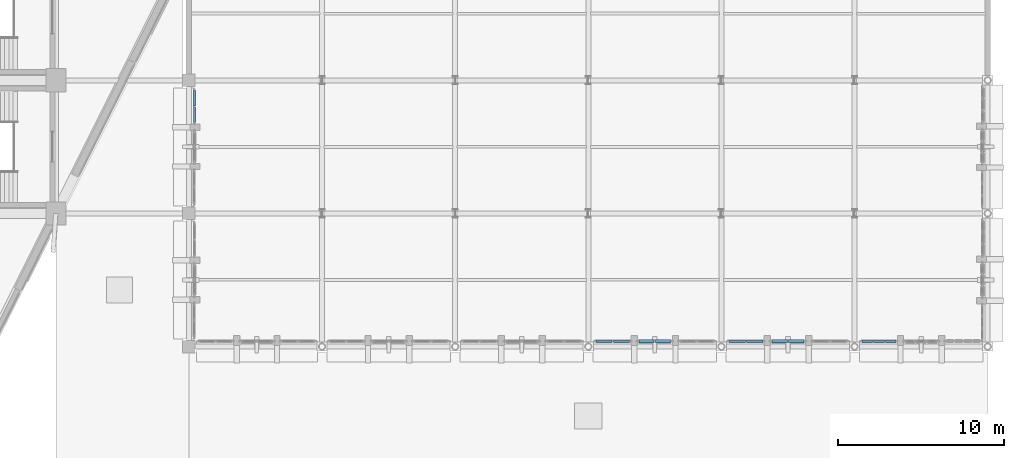
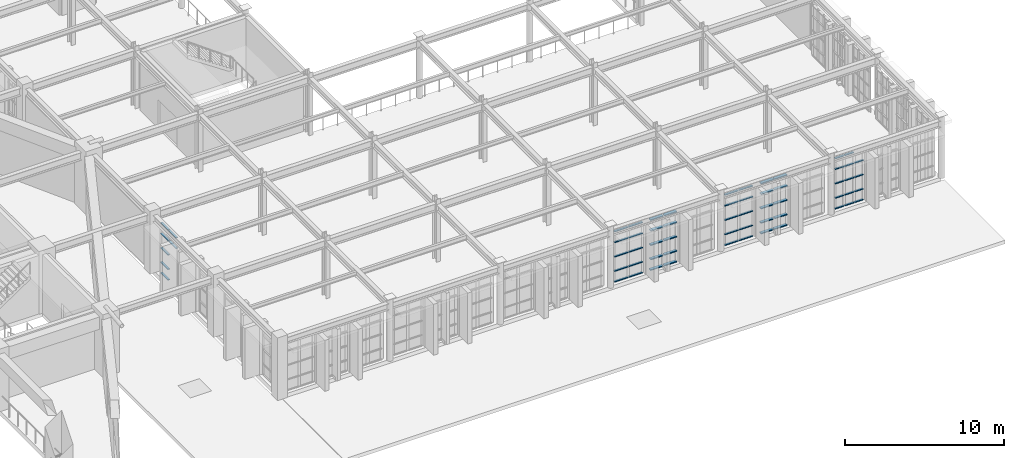
# One storey, part 76 of 155: 61 members, 6 elements without a shape of their own.
"""IFC4 building model written with IfcOpenShell, lengths in metres."""

from ifc_helpers import new_model, si_unit, direction, frame, origin, origin_2d, place, context, subcontext, project, spatial, rectangle, extrude, material, layer, layer_set, material_profile, profile_set, type_object, element, aggregate, save


model = new_model("IFC4")

# Units and contexts
model_context = context("Model", 3, precision=1e-05, world=origin(), true_north=direction((0.0, 1.0)))
body_context = subcontext(model_context, "Body", "Model", "MODEL_VIEW")
ifc_project = project(units=[si_unit("LENGTHUNIT", "METRE"), si_unit("AREAUNIT", "SQUARE_METRE"), si_unit("VOLUMEUNIT", "CUBIC_METRE"), si_unit("PLANEANGLEUNIT", "RADIAN"), si_unit("MASSUNIT", "GRAM", prefix="KILO")], contexts=[model_context])

# Site, building, storey
site_placement = place(None, origin())
site = spatial("IfcSite", under=ifc_project, at=site_placement, CompositionType="ELEMENT")
building_placement = place(site_placement, origin())
building = spatial("IfcBuilding", under=site, at=building_placement, Name="Tazarka Park Arena", CompositionType="ELEMENT")
storey_placement = place(building_placement, frame((0.0, 0.0, 5.39990234375)))
storey = spatial("IfcBuildingStorey", under=building, at=storey_placement, Name="L01", CompositionType="ELEMENT", Elevation=5.39990234375)

# Curtain wall, members
ifc_material_1 = material(Name="Aluminium and low-e glass", Category="aluminium")
ifc_layer_1 = layer(ifc_material_1, 0.179931640625, Name="Aluminium and low-e glass")
ifc_layer_set_1 = layer_set([ifc_layer_1], Name="Aluminium and low-e glass")
curtain_wall_type_1 = type_object("IfcCurtainWallType", Name="CW-12", PredefinedType="NOTDEFINED", material=ifc_layer_set_1)
curtain_wall_1_placement = place(storey_placement, origin())
curtain_wall_1 = element("IfcCurtainWall", 1, at=curtain_wall_1_placement, inside=storey, type_object=curtain_wall_type_1, Name="Curtain Wall CWA-L01-162", PredefinedType="NOTDEFINED")
ifc_material_2 = material(Name="Aluminium 6060-T66", Category="aluminium")
ifc_material_profile_1 = material_profile(ifc_material_2, rectangle(XDim=0.139892578125, YDim=0.06494140625, at=origin_2d()), Name="Aluminium 6060-T66")
ifc_profile_set_1 = profile_set([ifc_material_profile_1], Name="Aluminium 6060-T66")
member_type_1 = type_object("IfcMemberType", Name="CWT-01", PredefinedType="USERDEFINED", material=ifc_profile_set_1)
member_1_placement = place(storey_placement, frame((136.320068359375, 53.456787109375, 3.050048828125), z_axis=(0.0, 1.0, 0.0), x_axis=(-1.0, 0.0, 0.0)))
member_1 = element("IfcMember", 2, at=member_1_placement, type_object=member_type_1, Name="CW-12 transom 1.4", ObjectType="TRANSOM", PredefinedType="USERDEFINED", context=body_context, shape_type="SweptSolid", body=[
    extrude(rectangle(XDim=0.139892578125, YDim=0.06494140625, at=origin_2d()), origin(), (0.0, 0.0, 1.0), 0.928955078125),
])
member_2_placement = place(storey_placement, frame((136.320068359375, 53.456787109375, 3.86767578125), z_axis=(0.0, 1.0, 0.0), x_axis=(-1.0, 0.0, 0.0)))
member_2 = element("IfcMember", 3, at=member_2_placement, type_object=member_type_1, Name="CW-12 transom 1.5", ObjectType="TRANSOM", PredefinedType="USERDEFINED", context=body_context, shape_type="SweptSolid", body=[
    extrude(rectangle(XDim=0.139892578125, YDim=0.06494140625, at=origin_2d()), origin(), (0.0, 0.0, 1.0), 0.928955078125),
])
member_3_placement = place(storey_placement, frame((136.320068359375, 54.450927734375, 0.03271484375), z_axis=(0.0, 1.0, 0.0), x_axis=(-1.0, 0.0, 0.0)))
member_3 = element("IfcMember", 4, at=member_3_placement, type_object=member_type_1, Name="CW-12 transom 2.1", ObjectType="TRANSOM", PredefinedType="USERDEFINED", context=body_context, shape_type="SweptSolid", body=[
    extrude(rectangle(XDim=0.139892578125, YDim=0.06494140625, at=origin_2d()), origin(), (0.0, 0.0, 1.0), 0.928955078125),
])
member_4_placement = place(storey_placement, frame((136.320068359375, 54.450927734375, 0.85009765625), z_axis=(0.0, 1.0, 0.0), x_axis=(-1.0, 0.0, 0.0)))
member_4 = element("IfcMember", 5, at=member_4_placement, type_object=member_type_1, Name="CW-12 transom 2.2", ObjectType="TRANSOM", PredefinedType="USERDEFINED", context=body_context, shape_type="SweptSolid", body=[
    extrude(rectangle(XDim=0.139892578125, YDim=0.06494140625, at=origin_2d()), origin(), (0.0, 0.0, 1.0), 0.928955078125),
])
member_5_placement = place(storey_placement, frame((136.320068359375, 54.450927734375, 1.9501953125), z_axis=(0.0, 1.0, 0.0), x_axis=(-1.0, 0.0, 0.0)))
member_5 = element("IfcMember", 6, at=member_5_placement, type_object=member_type_1, Name="CW-12 transom 2.3", ObjectType="TRANSOM", PredefinedType="USERDEFINED", context=body_context, shape_type="SweptSolid", body=[
    extrude(rectangle(XDim=0.139892578125, YDim=0.06494140625, at=origin_2d()), origin(), (0.0, 0.0, 1.0), 0.928955078125),
])
member_6_placement = place(storey_placement, frame((136.320068359375, 54.450927734375, 3.050048828125), z_axis=(0.0, 1.0, 0.0), x_axis=(-1.0, 0.0, 0.0)))
member_6 = element("IfcMember", 7, at=member_6_placement, type_object=member_type_1, Name="CW-12 transom 2.4", ObjectType="TRANSOM", PredefinedType="USERDEFINED", context=body_context, shape_type="SweptSolid", body=[
    extrude(rectangle(XDim=0.139892578125, YDim=0.06494140625, at=origin_2d()), origin(), (0.0, 0.0, 1.0), 0.928955078125),
])
member_7_placement = place(storey_placement, frame((136.320068359375, 54.450927734375, 3.86767578125), z_axis=(0.0, 1.0, 0.0), x_axis=(-1.0, 0.0, 0.0)))
member_7 = element("IfcMember", 8, at=member_7_placement, type_object=member_type_1, Name="CW-12 transom 2.5", ObjectType="TRANSOM", PredefinedType="USERDEFINED", context=body_context, shape_type="SweptSolid", body=[
    extrude(rectangle(XDim=0.139892578125, YDim=0.06494140625, at=origin_2d()), origin(), (0.0, 0.0, 1.0), 0.928955078125),
])
aggregate(curtain_wall_1, [member_1, member_2, member_3, member_4, member_5, member_6, member_7])

ifc_material_3 = material(Name="Aluminium and low-e glass", Category="aluminium")
ifc_layer_2 = layer(ifc_material_3, 0.179931640625, Name="Aluminium and low-e glass")
ifc_layer_set_2 = layer_set([ifc_layer_2], Name="Aluminium and low-e glass")
curtain_wall_type_2 = type_object("IfcCurtainWallType", Name="CW-27", PredefinedType="NOTDEFINED", material=ifc_layer_set_2)
curtain_wall_2_placement = place(storey_placement, origin())
curtain_wall_2 = element("IfcCurtainWall", 9, at=curtain_wall_2_placement, inside=storey, type_object=curtain_wall_type_2, Name="Curtain Wall CWA-L01-177", PredefinedType="NOTDEFINED")
member_8_placement = place(storey_placement, frame((162.486083984375, 40.320068359375, 0.03271484375), z_axis=(-1.0, 0.0, 0.0), x_axis=(0.0, -1.0, 0.0)))
member_8 = element("IfcMember", 10, at=member_8_placement, type_object=member_type_1, Name="CW-27 transom 1.1", ObjectType="TRANSOM", PredefinedType="USERDEFINED", context=body_context, shape_type="SweptSolid", body=[
    extrude(rectangle(XDim=0.139892578125, YDim=0.06494140625, at=origin_2d()), origin(), (0.0, 0.0, 1.0), 0.986328125),
])
member_9_placement = place(storey_placement, frame((162.486083984375, 40.320068359375, 0.85009765625), z_axis=(-1.0, 0.0, 0.0), x_axis=(0.0, -1.0, 0.0)))
member_9 = element("IfcMember", 11, at=member_9_placement, type_object=member_type_1, Name="CW-27 transom 1.2", ObjectType="TRANSOM", PredefinedType="USERDEFINED", context=body_context, shape_type="SweptSolid", body=[
    extrude(rectangle(XDim=0.139892578125, YDim=0.06494140625, at=origin_2d()), origin(), (0.0, 0.0, 1.0), 0.986328125),
])
member_10_placement = place(storey_placement, frame((162.486083984375, 40.320068359375, 1.9501953125), z_axis=(-1.0, 0.0, 0.0), x_axis=(0.0, -1.0, 0.0)))
member_10 = element("IfcMember", 12, at=member_10_placement, type_object=member_type_1, Name="CW-27 transom 1.3", ObjectType="TRANSOM", PredefinedType="USERDEFINED", context=body_context, shape_type="SweptSolid", body=[
    extrude(rectangle(XDim=0.139892578125, YDim=0.06494140625, at=origin_2d()), origin(), (0.0, 0.0, 1.0), 0.986328125),
])
member_11_placement = place(storey_placement, frame((162.486083984375, 40.320068359375, 3.050048828125), z_axis=(-1.0, 0.0, 0.0), x_axis=(0.0, -1.0, 0.0)))
member_11 = element("IfcMember", 13, at=member_11_placement, type_object=member_type_1, Name="CW-27 transom 1.4", ObjectType="TRANSOM", PredefinedType="USERDEFINED", context=body_context, shape_type="SweptSolid", body=[
    extrude(rectangle(XDim=0.139892578125, YDim=0.06494140625, at=origin_2d()), origin(), (0.0, 0.0, 1.0), 0.986328125),
])
member_12_placement = place(storey_placement, frame((162.486083984375, 40.320068359375, 3.877685546875), z_axis=(-1.0, 0.0, 0.0), x_axis=(0.0, -1.0, 0.0)))
member_12 = element("IfcMember", 14, at=member_12_placement, type_object=member_type_1, Name="CW-27 transom 1.5", ObjectType="TRANSOM", PredefinedType="USERDEFINED", context=body_context, shape_type="SweptSolid", body=[
    extrude(rectangle(XDim=0.139892578125, YDim=0.06494140625, at=origin_2d()), origin(), (0.0, 0.0, 1.0), 0.986328125),
])
member_13_placement = place(storey_placement, frame((161.4345703125, 40.320068359375, 0.03271484375), z_axis=(-1.0, 0.0, 0.0), x_axis=(0.0, -1.0, 0.0)))
member_13 = element("IfcMember", 15, at=member_13_placement, type_object=member_type_1, Name="CW-27 transom 2.1", ObjectType="TRANSOM", PredefinedType="USERDEFINED", context=body_context, shape_type="SweptSolid", body=[
    extrude(rectangle(XDim=0.139892578125, YDim=0.06494140625, at=origin_2d()), origin(), (0.0, 0.0, 1.0), 0.986328125),
])
member_14_placement = place(storey_placement, frame((161.4345703125, 40.320068359375, 0.85009765625), z_axis=(-1.0, 0.0, 0.0), x_axis=(0.0, -1.0, 0.0)))
member_14 = element("IfcMember", 16, at=member_14_placement, type_object=member_type_1, Name="CW-27 transom 2.2", ObjectType="TRANSOM", PredefinedType="USERDEFINED", context=body_context, shape_type="SweptSolid", body=[
    extrude(rectangle(XDim=0.139892578125, YDim=0.06494140625, at=origin_2d()), origin(), (0.0, 0.0, 1.0), 0.986328125),
])
member_15_placement = place(storey_placement, frame((161.4345703125, 40.320068359375, 1.9501953125), z_axis=(-1.0, 0.0, 0.0), x_axis=(0.0, -1.0, 0.0)))
member_15 = element("IfcMember", 17, at=member_15_placement, type_object=member_type_1, Name="CW-27 transom 2.3", ObjectType="TRANSOM", PredefinedType="USERDEFINED", context=body_context, shape_type="SweptSolid", body=[
    extrude(rectangle(XDim=0.139892578125, YDim=0.06494140625, at=origin_2d()), origin(), (0.0, 0.0, 1.0), 0.986328125),
])
member_16_placement = place(storey_placement, frame((161.4345703125, 40.320068359375, 3.050048828125), z_axis=(-1.0, 0.0, 0.0), x_axis=(0.0, -1.0, 0.0)))
member_16 = element("IfcMember", 18, at=member_16_placement, type_object=member_type_1, Name="CW-27 transom 2.4", ObjectType="TRANSOM", PredefinedType="USERDEFINED", context=body_context, shape_type="SweptSolid", body=[
    extrude(rectangle(XDim=0.139892578125, YDim=0.06494140625, at=origin_2d()), origin(), (0.0, 0.0, 1.0), 0.986328125),
])
member_17_placement = place(storey_placement, frame((161.4345703125, 40.320068359375, 3.877685546875), z_axis=(-1.0, 0.0, 0.0), x_axis=(0.0, -1.0, 0.0)))
member_17 = element("IfcMember", 19, at=member_17_placement, type_object=member_type_1, Name="CW-27 transom 2.5", ObjectType="TRANSOM", PredefinedType="USERDEFINED", context=body_context, shape_type="SweptSolid", body=[
    extrude(rectangle(XDim=0.139892578125, YDim=0.06494140625, at=origin_2d()), origin(), (0.0, 0.0, 1.0), 0.986328125),
])
aggregate(curtain_wall_2, [member_8, member_9, member_10, member_11, member_12, member_13, member_14, member_15, member_16, member_17])

ifc_material_4 = material(Name="Aluminium and low-e glass", Category="aluminium")
ifc_layer_3 = layer(ifc_material_4, 0.179931640625, Name="Aluminium and low-e glass")
ifc_layer_set_3 = layer_set([ifc_layer_3], Name="Aluminium and low-e glass")
curtain_wall_type_3 = type_object("IfcCurtainWallType", Name="CW-30", PredefinedType="NOTDEFINED", material=ifc_layer_set_3)
curtain_wall_3_placement = place(storey_placement, origin())
curtain_wall_3 = element("IfcCurtainWall", 20, at=curtain_wall_3_placement, inside=storey, type_object=curtain_wall_type_3, Name="Curtain Wall CWA-L01-180", PredefinedType="NOTDEFINED")
member_18_placement = place(storey_placement, frame((170.486083984375, 40.320068359375, 0.03271484375), z_axis=(-1.0, 0.0, 0.0), x_axis=(0.0, -1.0, 0.0)))
member_18 = element("IfcMember", 21, at=member_18_placement, type_object=member_type_1, Name="CW-30 transom 1.1", ObjectType="TRANSOM", PredefinedType="USERDEFINED", context=body_context, shape_type="SweptSolid", body=[
    extrude(rectangle(XDim=0.139892578125, YDim=0.06494140625, at=origin_2d()), origin(), (0.0, 0.0, 1.0), 0.986328125),
])
member_19_placement = place(storey_placement, frame((170.486083984375, 40.320068359375, 0.85009765625), z_axis=(-1.0, 0.0, 0.0), x_axis=(0.0, -1.0, 0.0)))
member_19 = element("IfcMember", 22, at=member_19_placement, type_object=member_type_1, Name="CW-30 transom 1.2", ObjectType="TRANSOM", PredefinedType="USERDEFINED", context=body_context, shape_type="SweptSolid", body=[
    extrude(rectangle(XDim=0.139892578125, YDim=0.06494140625, at=origin_2d()), origin(), (0.0, 0.0, 1.0), 0.986328125),
])
member_20_placement = place(storey_placement, frame((170.486083984375, 40.320068359375, 1.9501953125), z_axis=(-1.0, 0.0, 0.0), x_axis=(0.0, -1.0, 0.0)))
member_20 = element("IfcMember", 23, at=member_20_placement, type_object=member_type_1, Name="CW-30 transom 1.3", ObjectType="TRANSOM", PredefinedType="USERDEFINED", context=body_context, shape_type="SweptSolid", body=[
    extrude(rectangle(XDim=0.139892578125, YDim=0.06494140625, at=origin_2d()), origin(), (0.0, 0.0, 1.0), 0.986328125),
])
member_21_placement = place(storey_placement, frame((170.486083984375, 40.320068359375, 3.050048828125), z_axis=(-1.0, 0.0, 0.0), x_axis=(0.0, -1.0, 0.0)))
member_21 = element("IfcMember", 24, at=member_21_placement, type_object=member_type_1, Name="CW-30 transom 1.4", ObjectType="TRANSOM", PredefinedType="USERDEFINED", context=body_context, shape_type="SweptSolid", body=[
    extrude(rectangle(XDim=0.139892578125, YDim=0.06494140625, at=origin_2d()), origin(), (0.0, 0.0, 1.0), 0.986328125),
])
member_22_placement = place(storey_placement, frame((170.486083984375, 40.320068359375, 3.877685546875), z_axis=(-1.0, 0.0, 0.0), x_axis=(0.0, -1.0, 0.0)))
member_22 = element("IfcMember", 25, at=member_22_placement, type_object=member_type_1, Name="CW-30 transom 1.5", ObjectType="TRANSOM", PredefinedType="USERDEFINED", context=body_context, shape_type="SweptSolid", body=[
    extrude(rectangle(XDim=0.139892578125, YDim=0.06494140625, at=origin_2d()), origin(), (0.0, 0.0, 1.0), 0.986328125),
])
member_23_placement = place(storey_placement, frame((169.4345703125, 40.320068359375, 0.03271484375), z_axis=(-1.0, 0.0, 0.0), x_axis=(0.0, -1.0, 0.0)))
member_23 = element("IfcMember", 26, at=member_23_placement, type_object=member_type_1, Name="CW-30 transom 2.1", ObjectType="TRANSOM", PredefinedType="USERDEFINED", context=body_context, shape_type="SweptSolid", body=[
    extrude(rectangle(XDim=0.139892578125, YDim=0.06494140625, at=origin_2d()), origin(), (0.0, 0.0, 1.0), 0.986328125),
])
member_24_placement = place(storey_placement, frame((169.4345703125, 40.320068359375, 0.85009765625), z_axis=(-1.0, 0.0, 0.0), x_axis=(0.0, -1.0, 0.0)))
member_24 = element("IfcMember", 27, at=member_24_placement, type_object=member_type_1, Name="CW-30 transom 2.2", ObjectType="TRANSOM", PredefinedType="USERDEFINED", context=body_context, shape_type="SweptSolid", body=[
    extrude(rectangle(XDim=0.139892578125, YDim=0.06494140625, at=origin_2d()), origin(), (0.0, 0.0, 1.0), 0.986328125),
])
member_25_placement = place(storey_placement, frame((169.4345703125, 40.320068359375, 1.9501953125), z_axis=(-1.0, 0.0, 0.0), x_axis=(0.0, -1.0, 0.0)))
member_25 = element("IfcMember", 28, at=member_25_placement, type_object=member_type_1, Name="CW-30 transom 2.3", ObjectType="TRANSOM", PredefinedType="USERDEFINED", context=body_context, shape_type="SweptSolid", body=[
    extrude(rectangle(XDim=0.139892578125, YDim=0.06494140625, at=origin_2d()), origin(), (0.0, 0.0, 1.0), 0.986328125),
])
member_26_placement = place(storey_placement, frame((169.4345703125, 40.320068359375, 3.050048828125), z_axis=(-1.0, 0.0, 0.0), x_axis=(0.0, -1.0, 0.0)))
member_26 = element("IfcMember", 29, at=member_26_placement, type_object=member_type_1, Name="CW-30 transom 2.4", ObjectType="TRANSOM", PredefinedType="USERDEFINED", context=body_context, shape_type="SweptSolid", body=[
    extrude(rectangle(XDim=0.139892578125, YDim=0.06494140625, at=origin_2d()), origin(), (0.0, 0.0, 1.0), 0.986328125),
])
member_27_placement = place(storey_placement, frame((169.4345703125, 40.320068359375, 3.877685546875), z_axis=(-1.0, 0.0, 0.0), x_axis=(0.0, -1.0, 0.0)))
member_27 = element("IfcMember", 30, at=member_27_placement, type_object=member_type_1, Name="CW-30 transom 2.5", ObjectType="TRANSOM", PredefinedType="USERDEFINED", context=body_context, shape_type="SweptSolid", body=[
    extrude(rectangle(XDim=0.139892578125, YDim=0.06494140625, at=origin_2d()), origin(), (0.0, 0.0, 1.0), 0.986328125),
])
aggregate(curtain_wall_3, [member_18, member_19, member_20, member_21, member_22, member_23, member_24, member_25, member_26, member_27])

ifc_material_5 = material(Name="Aluminium and low-e glass", Category="aluminium")
ifc_layer_4 = layer(ifc_material_5, 0.179931640625, Name="Aluminium and low-e glass")
ifc_layer_set_4 = layer_set([ifc_layer_4], Name="Aluminium and low-e glass")
curtain_wall_type_4 = type_object("IfcCurtainWallType", Name="CW-03", PredefinedType="NOTDEFINED", material=ifc_layer_set_4)
curtain_wall_4_placement = place(storey_placement, origin())
curtain_wall_4 = element("IfcCurtainWall", 31, at=curtain_wall_4_placement, inside=storey, type_object=curtain_wall_type_4, Name="Curtain Wall CWA-L01-183", PredefinedType="NOTDEFINED")
member_28_placement = place(storey_placement, frame((178.486083984375, 40.320068359375, 0.03271484375), z_axis=(-1.0, 0.0, 0.0), x_axis=(0.0, -1.0, 0.0)))
member_28 = element("IfcMember", 32, at=member_28_placement, type_object=member_type_1, Name="CW-03 transom 1.1", ObjectType="TRANSOM", PredefinedType="USERDEFINED", context=body_context, shape_type="SweptSolid", body=[
    extrude(rectangle(XDim=0.139892578125, YDim=0.06494140625, at=origin_2d()), origin(), (0.0, 0.0, 1.0), 0.625),
])
member_29_placement = place(storey_placement, frame((178.486083984375, 40.320068359375, 0.85009765625), z_axis=(-1.0, 0.0, 0.0), x_axis=(0.0, -1.0, 0.0)))
member_29 = element("IfcMember", 33, at=member_29_placement, type_object=member_type_1, Name="CW-03 transom 1.2", ObjectType="TRANSOM", PredefinedType="USERDEFINED", context=body_context, shape_type="SweptSolid", body=[
    extrude(rectangle(XDim=0.139892578125, YDim=0.06494140625, at=origin_2d()), origin(), (0.0, 0.0, 1.0), 0.625),
])
member_30_placement = place(storey_placement, frame((178.486083984375, 40.320068359375, 1.9501953125), z_axis=(-1.0, 0.0, 0.0), x_axis=(0.0, -1.0, 0.0)))
member_30 = element("IfcMember", 34, at=member_30_placement, type_object=member_type_1, Name="CW-03 transom 1.3", ObjectType="TRANSOM", PredefinedType="USERDEFINED", context=body_context, shape_type="SweptSolid", body=[
    extrude(rectangle(XDim=0.139892578125, YDim=0.06494140625, at=origin_2d()), origin(), (0.0, 0.0, 1.0), 0.625),
])
member_31_placement = place(storey_placement, frame((178.486083984375, 40.320068359375, 3.050048828125), z_axis=(-1.0, 0.0, 0.0), x_axis=(0.0, -1.0, 0.0)))
member_31 = element("IfcMember", 35, at=member_31_placement, type_object=member_type_1, Name="CW-03 transom 1.4", ObjectType="TRANSOM", PredefinedType="USERDEFINED", context=body_context, shape_type="SweptSolid", body=[
    extrude(rectangle(XDim=0.139892578125, YDim=0.06494140625, at=origin_2d()), origin(), (0.0, 0.0, 1.0), 0.625),
])
member_32_placement = place(storey_placement, frame((177.7958984375, 40.320068359375, 0.03271484375), z_axis=(-1.0, 0.0, 0.0), x_axis=(0.0, -1.0, 0.0)))
member_32 = element("IfcMember", 36, at=member_32_placement, type_object=member_type_1, Name="CW-03 transom 2.1", ObjectType="TRANSOM", PredefinedType="USERDEFINED", context=body_context, shape_type="SweptSolid", body=[
    extrude(rectangle(XDim=0.139892578125, YDim=0.06494140625, at=origin_2d()), origin(), (0.0, 0.0, 1.0), 0.657470703125),
])
member_33_placement = place(storey_placement, frame((177.7958984375, 40.320068359375, 0.85009765625), z_axis=(-1.0, 0.0, 0.0), x_axis=(0.0, -1.0, 0.0)))
member_33 = element("IfcMember", 37, at=member_33_placement, type_object=member_type_1, Name="CW-03 transom 2.2", ObjectType="TRANSOM", PredefinedType="USERDEFINED", context=body_context, shape_type="SweptSolid", body=[
    extrude(rectangle(XDim=0.139892578125, YDim=0.06494140625, at=origin_2d()), origin(), (0.0, 0.0, 1.0), 0.657470703125),
])
member_34_placement = place(storey_placement, frame((177.7958984375, 40.320068359375, 1.9501953125), z_axis=(-1.0, 0.0, 0.0), x_axis=(0.0, -1.0, 0.0)))
member_34 = element("IfcMember", 38, at=member_34_placement, type_object=member_type_1, Name="CW-03 transom 2.3", ObjectType="TRANSOM", PredefinedType="USERDEFINED", context=body_context, shape_type="SweptSolid", body=[
    extrude(rectangle(XDim=0.139892578125, YDim=0.06494140625, at=origin_2d()), origin(), (0.0, 0.0, 1.0), 0.657470703125),
])
member_35_placement = place(storey_placement, frame((177.7958984375, 40.320068359375, 3.050048828125), z_axis=(-1.0, 0.0, 0.0), x_axis=(0.0, -1.0, 0.0)))
member_35 = element("IfcMember", 39, at=member_35_placement, type_object=member_type_1, Name="CW-03 transom 2.4", ObjectType="TRANSOM", PredefinedType="USERDEFINED", context=body_context, shape_type="SweptSolid", body=[
    extrude(rectangle(XDim=0.139892578125, YDim=0.06494140625, at=origin_2d()), origin(), (0.0, 0.0, 1.0), 0.657470703125),
])
member_36_placement = place(storey_placement, frame((177.7958984375, 40.320068359375, 3.877685546875), z_axis=(-1.0, 0.0, 0.0), x_axis=(0.0, -1.0, 0.0)))
member_36 = element("IfcMember", 40, at=member_36_placement, type_object=member_type_1, Name="CW-03 transom 2.5", ObjectType="TRANSOM", PredefinedType="USERDEFINED", context=body_context, shape_type="SweptSolid", body=[
    extrude(rectangle(XDim=0.139892578125, YDim=0.06494140625, at=origin_2d()), origin(), (0.0, 0.0, 1.0), 0.657470703125),
])
member_37_placement = place(storey_placement, frame((177.0732421875, 40.320068359375, 0.03271484375), z_axis=(-1.0, 0.0, 0.0), x_axis=(0.0, -1.0, 0.0)))
member_37 = element("IfcMember", 41, at=member_37_placement, type_object=member_type_1, Name="CW-03 transom 3.1", ObjectType="TRANSOM", PredefinedType="USERDEFINED", context=body_context, shape_type="SweptSolid", body=[
    extrude(rectangle(XDim=0.139892578125, YDim=0.06494140625, at=origin_2d()), origin(), (0.0, 0.0, 1.0), 0.625),
])
member_38_placement = place(storey_placement, frame((177.0732421875, 40.320068359375, 0.85009765625), z_axis=(-1.0, 0.0, 0.0), x_axis=(0.0, -1.0, 0.0)))
member_38 = element("IfcMember", 42, at=member_38_placement, type_object=member_type_1, Name="CW-03 transom 3.2", ObjectType="TRANSOM", PredefinedType="USERDEFINED", context=body_context, shape_type="SweptSolid", body=[
    extrude(rectangle(XDim=0.139892578125, YDim=0.06494140625, at=origin_2d()), origin(), (0.0, 0.0, 1.0), 0.625),
])
member_39_placement = place(storey_placement, frame((177.0732421875, 40.320068359375, 1.9501953125), z_axis=(-1.0, 0.0, 0.0), x_axis=(0.0, -1.0, 0.0)))
member_39 = element("IfcMember", 43, at=member_39_placement, type_object=member_type_1, Name="CW-03 transom 3.3", ObjectType="TRANSOM", PredefinedType="USERDEFINED", context=body_context, shape_type="SweptSolid", body=[
    extrude(rectangle(XDim=0.139892578125, YDim=0.06494140625, at=origin_2d()), origin(), (0.0, 0.0, 1.0), 0.625),
])
member_40_placement = place(storey_placement, frame((177.0732421875, 40.320068359375, 3.050048828125), z_axis=(-1.0, 0.0, 0.0), x_axis=(0.0, -1.0, 0.0)))
member_40 = element("IfcMember", 44, at=member_40_placement, type_object=member_type_1, Name="CW-03 transom 3.4", ObjectType="TRANSOM", PredefinedType="USERDEFINED", context=body_context, shape_type="SweptSolid", body=[
    extrude(rectangle(XDim=0.139892578125, YDim=0.06494140625, at=origin_2d()), origin(), (0.0, 0.0, 1.0), 0.625),
])
member_41_placement = place(storey_placement, frame((177.0732421875, 40.320068359375, 3.877685546875), z_axis=(-1.0, 0.0, 0.0), x_axis=(0.0, -1.0, 0.0)))
member_41 = element("IfcMember", 45, at=member_41_placement, type_object=member_type_1, Name="CW-03 transom 3.5", ObjectType="TRANSOM", PredefinedType="USERDEFINED", context=body_context, shape_type="SweptSolid", body=[
    extrude(rectangle(XDim=0.139892578125, YDim=0.06494140625, at=origin_2d()), origin(), (0.0, 0.0, 1.0), 0.625),
])
aggregate(curtain_wall_4, [member_28, member_29, member_30, member_31, member_32, member_33, member_34, member_35, member_36, member_37, member_38, member_39, member_40, member_41])

ifc_material_6 = material(Name="Aluminium and low-e glass", Category="aluminium")
ifc_layer_5 = layer(ifc_material_6, 0.179931640625, Name="Aluminium and low-e glass")
ifc_layer_set_5 = layer_set([ifc_layer_5], Name="Aluminium and low-e glass")
curtain_wall_type_5 = type_object("IfcCurtainWallType", Name="CW-26", PredefinedType="NOTDEFINED", material=ifc_layer_set_5)
curtain_wall_5_placement = place(storey_placement, origin())
curtain_wall_5 = element("IfcCurtainWall", 46, at=curtain_wall_5_placement, inside=storey, type_object=curtain_wall_type_5, Name="Curtain Wall CWA-L01-176", PredefinedType="NOTDEFINED")
ifc_material_7 = material(Name="Aluminium 6060-T66", Category="aluminium")
ifc_material_profile_2 = material_profile(ifc_material_7, rectangle(XDim=0.2099609375, YDim=0.074951171875, at=origin_2d()), Name="Aluminium 6060-T66")
ifc_profile_set_2 = profile_set([ifc_material_profile_2], Name="Aluminium 6060-T66")
member_type_2 = type_object("IfcMemberType", Name="CWT-03", PredefinedType="USERDEFINED", material=ifc_profile_set_2)
member_42_placement = place(storey_placement, frame((164.953857421875, 40.320068359375, 0.03759765625), z_axis=(-1.0, 0.0, 0.0), x_axis=(0.0, -1.0, 0.0)))
member_42 = element("IfcMember", 47, at=member_42_placement, type_object=member_type_2, Name="CW-26 transom 1.1", ObjectType="TRANSOM", PredefinedType="USERDEFINED", context=body_context, shape_type="SweptSolid", body=[
    extrude(rectangle(XDim=0.2099609375, YDim=0.074951171875, at=origin_2d()), origin(), (0.0, 0.0, 1.0), 0.916259765625),
])
member_43_placement = place(storey_placement, frame((164.953857421875, 40.320068359375, 0.85009765625), z_axis=(-1.0, 0.0, 0.0), x_axis=(0.0, -1.0, 0.0)))
member_43 = element("IfcMember", 48, at=member_43_placement, type_object=member_type_2, Name="CW-26 transom 1.2", ObjectType="TRANSOM", PredefinedType="USERDEFINED", context=body_context, shape_type="SweptSolid", body=[
    extrude(rectangle(XDim=0.2099609375, YDim=0.074951171875, at=origin_2d()), origin(), (0.0, 0.0, 1.0), 0.916259765625),
])
member_44_placement = place(storey_placement, frame((164.953857421875, 40.320068359375, 1.9501953125), z_axis=(-1.0, 0.0, 0.0), x_axis=(0.0, -1.0, 0.0)))
member_44 = element("IfcMember", 49, at=member_44_placement, type_object=member_type_2, Name="CW-26 transom 1.3", ObjectType="TRANSOM", PredefinedType="USERDEFINED", context=body_context, shape_type="SweptSolid", body=[
    extrude(rectangle(XDim=0.2099609375, YDim=0.074951171875, at=origin_2d()), origin(), (0.0, 0.0, 1.0), 0.916259765625),
])
member_45_placement = place(storey_placement, frame((164.953857421875, 40.320068359375, 3.050048828125), z_axis=(-1.0, 0.0, 0.0), x_axis=(0.0, -1.0, 0.0)))
member_45 = element("IfcMember", 50, at=member_45_placement, type_object=member_type_2, Name="CW-26 transom 1.4", ObjectType="TRANSOM", PredefinedType="USERDEFINED", context=body_context, shape_type="SweptSolid", body=[
    extrude(rectangle(XDim=0.2099609375, YDim=0.074951171875, at=origin_2d()), origin(), (0.0, 0.0, 1.0), 0.916259765625),
])
member_46_placement = place(storey_placement, frame((164.953857421875, 40.320068359375, 3.87255859375), z_axis=(-1.0, 0.0, 0.0), x_axis=(0.0, -1.0, 0.0)))
member_46 = element("IfcMember", 51, at=member_46_placement, type_object=member_type_2, Name="CW-26 transom 1.5", ObjectType="TRANSOM", PredefinedType="USERDEFINED", context=body_context, shape_type="SweptSolid", body=[
    extrude(rectangle(XDim=0.2099609375, YDim=0.074951171875, at=origin_2d()), origin(), (0.0, 0.0, 1.0), 0.916259765625),
])
member_47_placement = place(storey_placement, frame((163.96240234375, 40.320068359375, 0.03759765625), z_axis=(-1.0, 0.0, 0.0), x_axis=(0.0, -1.0, 0.0)))
member_47 = element("IfcMember", 52, at=member_47_placement, type_object=member_type_2, Name="CW-26 transom 2.1", ObjectType="TRANSOM", PredefinedType="USERDEFINED", context=body_context, shape_type="SweptSolid", body=[
    extrude(rectangle(XDim=0.2099609375, YDim=0.074951171875, at=origin_2d()), origin(), (0.0, 0.0, 1.0), 0.916259765625),
])
member_48_placement = place(storey_placement, frame((163.96240234375, 40.320068359375, 0.85009765625), z_axis=(-1.0, 0.0, 0.0), x_axis=(0.0, -1.0, 0.0)))
member_48 = element("IfcMember", 53, at=member_48_placement, type_object=member_type_2, Name="CW-26 transom 2.2", ObjectType="TRANSOM", PredefinedType="USERDEFINED", context=body_context, shape_type="SweptSolid", body=[
    extrude(rectangle(XDim=0.2099609375, YDim=0.074951171875, at=origin_2d()), origin(), (0.0, 0.0, 1.0), 0.916259765625),
])
member_49_placement = place(storey_placement, frame((163.96240234375, 40.320068359375, 1.9501953125), z_axis=(-1.0, 0.0, 0.0), x_axis=(0.0, -1.0, 0.0)))
member_49 = element("IfcMember", 54, at=member_49_placement, type_object=member_type_2, Name="CW-26 transom 2.3", ObjectType="TRANSOM", PredefinedType="USERDEFINED", context=body_context, shape_type="SweptSolid", body=[
    extrude(rectangle(XDim=0.2099609375, YDim=0.074951171875, at=origin_2d()), origin(), (0.0, 0.0, 1.0), 0.916259765625),
])
member_50_placement = place(storey_placement, frame((163.96240234375, 40.320068359375, 3.050048828125), z_axis=(-1.0, 0.0, 0.0), x_axis=(0.0, -1.0, 0.0)))
member_50 = element("IfcMember", 55, at=member_50_placement, type_object=member_type_2, Name="CW-26 transom 2.4", ObjectType="TRANSOM", PredefinedType="USERDEFINED", context=body_context, shape_type="SweptSolid", body=[
    extrude(rectangle(XDim=0.2099609375, YDim=0.074951171875, at=origin_2d()), origin(), (0.0, 0.0, 1.0), 0.916259765625),
])
member_51_placement = place(storey_placement, frame((163.96240234375, 40.320068359375, 3.87255859375), z_axis=(-1.0, 0.0, 0.0), x_axis=(0.0, -1.0, 0.0)))
member_51 = element("IfcMember", 56, at=member_51_placement, type_object=member_type_2, Name="CW-26 transom 2.5", ObjectType="TRANSOM", PredefinedType="USERDEFINED", context=body_context, shape_type="SweptSolid", body=[
    extrude(rectangle(XDim=0.2099609375, YDim=0.074951171875, at=origin_2d()), origin(), (0.0, 0.0, 1.0), 0.916259765625),
])
aggregate(curtain_wall_5, [member_42, member_43, member_44, member_45, member_46, member_47, member_48, member_49, member_50, member_51])

ifc_material_8 = material(Name="Aluminium and low-e glass", Category="aluminium")
ifc_layer_6 = layer(ifc_material_8, 0.179931640625, Name="Aluminium and low-e glass")
ifc_layer_set_6 = layer_set([ifc_layer_6], Name="Aluminium and low-e glass")
curtain_wall_type_6 = type_object("IfcCurtainWallType", Name="CW-29", PredefinedType="NOTDEFINED", material=ifc_layer_set_6)
curtain_wall_6_placement = place(storey_placement, origin())
curtain_wall_6 = element("IfcCurtainWall", 57, at=curtain_wall_6_placement, inside=storey, type_object=curtain_wall_type_6, Name="Curtain Wall CWA-L01-179", PredefinedType="NOTDEFINED")
member_52_placement = place(storey_placement, frame((172.953857421875, 40.320068359375, 0.03759765625), z_axis=(-1.0, 0.0, 0.0), x_axis=(0.0, -1.0, 0.0)))
member_52 = element("IfcMember", 58, at=member_52_placement, type_object=member_type_2, Name="CW-29 transom 1.1", ObjectType="TRANSOM", PredefinedType="USERDEFINED", context=body_context, shape_type="SweptSolid", body=[
    extrude(rectangle(XDim=0.2099609375, YDim=0.074951171875, at=origin_2d()), origin(), (0.0, 0.0, 1.0), 0.916259765625),
])
member_53_placement = place(storey_placement, frame((172.953857421875, 40.320068359375, 0.85009765625), z_axis=(-1.0, 0.0, 0.0), x_axis=(0.0, -1.0, 0.0)))
member_53 = element("IfcMember", 59, at=member_53_placement, type_object=member_type_2, Name="CW-29 transom 1.2", ObjectType="TRANSOM", PredefinedType="USERDEFINED", context=body_context, shape_type="SweptSolid", body=[
    extrude(rectangle(XDim=0.2099609375, YDim=0.074951171875, at=origin_2d()), origin(), (0.0, 0.0, 1.0), 0.916259765625),
])
member_54_placement = place(storey_placement, frame((172.953857421875, 40.320068359375, 1.9501953125), z_axis=(-1.0, 0.0, 0.0), x_axis=(0.0, -1.0, 0.0)))
member_54 = element("IfcMember", 60, at=member_54_placement, type_object=member_type_2, Name="CW-29 transom 1.3", ObjectType="TRANSOM", PredefinedType="USERDEFINED", context=body_context, shape_type="SweptSolid", body=[
    extrude(rectangle(XDim=0.2099609375, YDim=0.074951171875, at=origin_2d()), origin(), (0.0, 0.0, 1.0), 0.916259765625),
])
member_55_placement = place(storey_placement, frame((172.953857421875, 40.320068359375, 3.050048828125), z_axis=(-1.0, 0.0, 0.0), x_axis=(0.0, -1.0, 0.0)))
member_55 = element("IfcMember", 61, at=member_55_placement, type_object=member_type_2, Name="CW-29 transom 1.4", ObjectType="TRANSOM", PredefinedType="USERDEFINED", context=body_context, shape_type="SweptSolid", body=[
    extrude(rectangle(XDim=0.2099609375, YDim=0.074951171875, at=origin_2d()), origin(), (0.0, 0.0, 1.0), 0.916259765625),
])
member_56_placement = place(storey_placement, frame((172.953857421875, 40.320068359375, 3.87255859375), z_axis=(-1.0, 0.0, 0.0), x_axis=(0.0, -1.0, 0.0)))
member_56 = element("IfcMember", 62, at=member_56_placement, type_object=member_type_2, Name="CW-29 transom 1.5", ObjectType="TRANSOM", PredefinedType="USERDEFINED", context=body_context, shape_type="SweptSolid", body=[
    extrude(rectangle(XDim=0.2099609375, YDim=0.074951171875, at=origin_2d()), origin(), (0.0, 0.0, 1.0), 0.916259765625),
])
member_57_placement = place(storey_placement, frame((171.96240234375, 40.320068359375, 0.03759765625), z_axis=(-1.0, 0.0, 0.0), x_axis=(0.0, -1.0, 0.0)))
member_57 = element("IfcMember", 63, at=member_57_placement, type_object=member_type_2, Name="CW-29 transom 2.1", ObjectType="TRANSOM", PredefinedType="USERDEFINED", context=body_context, shape_type="SweptSolid", body=[
    extrude(rectangle(XDim=0.2099609375, YDim=0.074951171875, at=origin_2d()), origin(), (0.0, 0.0, 1.0), 0.916259765625),
])
member_58_placement = place(storey_placement, frame((171.96240234375, 40.320068359375, 0.85009765625), z_axis=(-1.0, 0.0, 0.0), x_axis=(0.0, -1.0, 0.0)))
member_58 = element("IfcMember", 64, at=member_58_placement, type_object=member_type_2, Name="CW-29 transom 2.2", ObjectType="TRANSOM", PredefinedType="USERDEFINED", context=body_context, shape_type="SweptSolid", body=[
    extrude(rectangle(XDim=0.2099609375, YDim=0.074951171875, at=origin_2d()), origin(), (0.0, 0.0, 1.0), 0.916259765625),
])
member_59_placement = place(storey_placement, frame((171.96240234375, 40.320068359375, 1.9501953125), z_axis=(-1.0, 0.0, 0.0), x_axis=(0.0, -1.0, 0.0)))
member_59 = element("IfcMember", 65, at=member_59_placement, type_object=member_type_2, Name="CW-29 transom 2.3", ObjectType="TRANSOM", PredefinedType="USERDEFINED", context=body_context, shape_type="SweptSolid", body=[
    extrude(rectangle(XDim=0.2099609375, YDim=0.074951171875, at=origin_2d()), origin(), (0.0, 0.0, 1.0), 0.916259765625),
])
member_60_placement = place(storey_placement, frame((171.96240234375, 40.320068359375, 3.050048828125), z_axis=(-1.0, 0.0, 0.0), x_axis=(0.0, -1.0, 0.0)))
member_60 = element("IfcMember", 66, at=member_60_placement, type_object=member_type_2, Name="CW-29 transom 2.4", ObjectType="TRANSOM", PredefinedType="USERDEFINED", context=body_context, shape_type="SweptSolid", body=[
    extrude(rectangle(XDim=0.2099609375, YDim=0.074951171875, at=origin_2d()), origin(), (0.0, 0.0, 1.0), 0.916259765625),
])
member_61_placement = place(storey_placement, frame((171.96240234375, 40.320068359375, 3.87255859375), z_axis=(-1.0, 0.0, 0.0), x_axis=(0.0, -1.0, 0.0)))
member_61 = element("IfcMember", 67, at=member_61_placement, type_object=member_type_2, Name="CW-29 transom 2.5", ObjectType="TRANSOM", PredefinedType="USERDEFINED", context=body_context, shape_type="SweptSolid", body=[
    extrude(rectangle(XDim=0.2099609375, YDim=0.074951171875, at=origin_2d()), origin(), (0.0, 0.0, 1.0), 0.916259765625),
])
aggregate(curtain_wall_6, [member_52, member_53, member_54, member_55, member_56, member_57, member_58, member_59, member_60, member_61])

save(model, "model.ifc")
